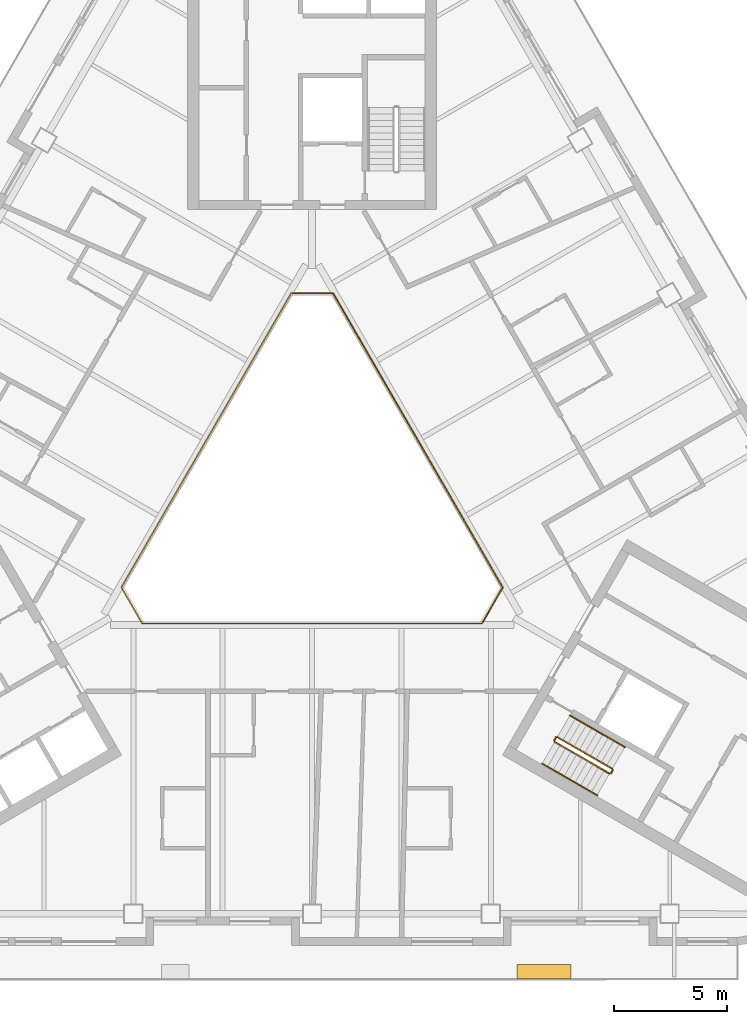
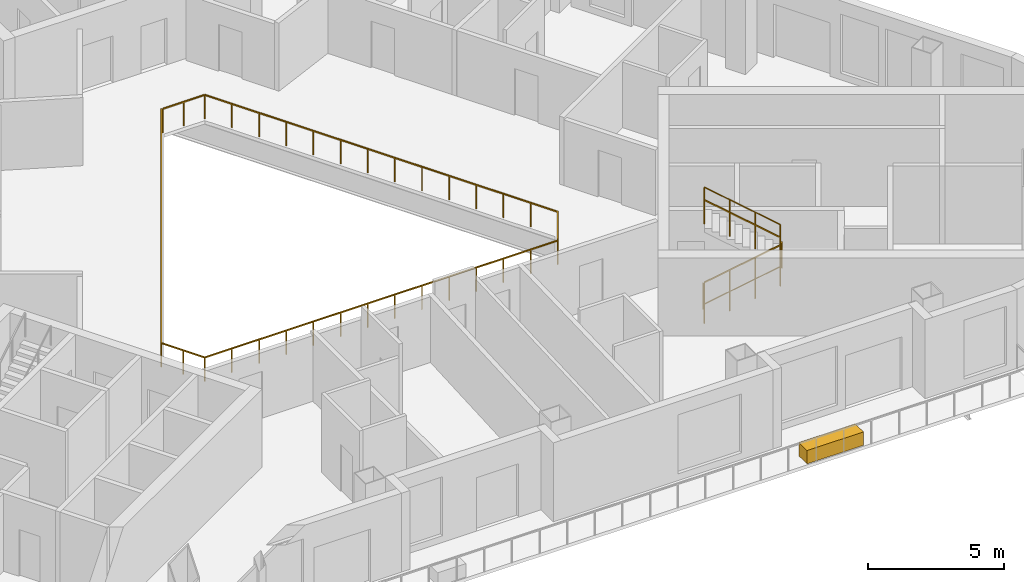
# One storey, part 12 of 14: 8 railings, 1 covering.
"""IFC4 building model written with IfcOpenShell, lengths in metres."""

from ifc_helpers import new_model, si_unit, direction, frame, origin, origin_2d, place, context, subcontext, project, spatial, rectangle, circle, extrude, material, type_object, element, save


model = new_model("IFC4")

# Units and contexts
model_context = context("Model", 3, precision=1e-05, world=origin(), true_north=direction((0.0, 1.0)))
body_context = subcontext(model_context, "Body", "Model", "MODEL_VIEW")
ifc_project = project(units=[si_unit("LENGTHUNIT", "METRE"), si_unit("AREAUNIT", "SQUARE_METRE"), si_unit("VOLUMEUNIT", "CUBIC_METRE"), si_unit("PLANEANGLEUNIT", "RADIAN"), si_unit("MASSUNIT", "GRAM", prefix="KILO")], contexts=[model_context])

# Site, building, storey
site_placement = place(None, origin())
site = spatial("IfcSite", under=ifc_project, at=site_placement, CompositionType="ELEMENT")
building_placement = place(site_placement, origin())
building = spatial("IfcBuilding", under=site, at=building_placement, Name="Apuvela Tower Hotel", CompositionType="ELEMENT")
storey_placement = place(building_placement, frame((0.0, 0.0, 157.699951171875)))
storey = spatial("IfcBuildingStorey", under=building, at=storey_placement, Name="L37", CompositionType="ELEMENT", Elevation=157.699951171875)

# Railings
ifc_material_1 = material(Name="Steel S275 balustrade", Category="steel")
railing_type_1 = type_object("IfcRailingType", Name="COR-GUARD-1100", PredefinedType="GUARDRAIL", material=ifc_material_1)
railing_1_placement = place(storey_placement, frame((10.718994140625, -10.63427734375, 0.168212890625)))
element("IfcRailing", 1, at=railing_1_placement, inside=storey, type_object=railing_type_1, Name="L37 ST3 stair guard 1", PredefinedType="GUARDRAIL", context=body_context, shape_type="SweptSolid", body=[
    extrude(rectangle(XDim=0.048095703125, YDim=0.048095703125, at=origin_2d()), frame((0.0, 0.0, 1.076171875), z_axis=(0.742390482028, -0.42860119049, 0.514934356695), x_axis=(0.49998411664, 0.866034573852, 0.0)), (0.0, 0.0, 1.0), 3.26611328125),
    extrude(rectangle(XDim=0.0419921875, YDim=0.0419921875, at=origin_2d()), origin(), (0.0, 0.0, 1.0), 1.052001953125),
    extrude(rectangle(XDim=0.0419921875, YDim=0.0419921875, at=origin_2d()), frame((0.808349609375, -0.466552734375, 0.560546875)), (0.0, 0.0, 1.0), 1.052001953125),
    extrude(rectangle(XDim=0.0419921875, YDim=0.0419921875, at=origin_2d()), frame((1.616455078125, -0.933349609375, 1.121337890625)), (0.0, 0.0, 1.0), 1.052001953125),
    extrude(rectangle(XDim=0.0419921875, YDim=0.0419921875, at=origin_2d()), frame((2.4248046875, -1.39990234375, 1.681884765625)), (0.0, 0.0, 1.0), 1.052001953125),
])
railing_2_placement = place(storey_placement, frame((13.212158203125, -12.015869140625, 1.85009765625)))
element("IfcRailing", 2, at=railing_2_placement, inside=storey, type_object=railing_type_1, Name="L37 ST3 stair guard 2", PredefinedType="GUARDRAIL", context=body_context, shape_type="SweptSolid", body=[
    extrude(rectangle(XDim=0.048095703125, YDim=0.048095703125, at=origin_2d()), frame((0.0, 0.0, 1.076171875), z_axis=(0.499816412211, 0.866131372301, 0.0), x_axis=(-0.866131372301, 0.499816412211, 0.0)), (0.0, 0.0, 1.0), 0.14990234375),
    extrude(rectangle(XDim=0.0419921875, YDim=0.0419921875, at=origin_2d()), origin(), (0.0, 0.0, 1.0), 1.052001953125),
    extrude(rectangle(XDim=0.0419921875, YDim=0.0419921875, at=origin_2d()), frame((0.074951171875, 0.1298828125, 0.0)), (0.0, 0.0, 1.0), 1.052001953125),
])
railing_3_placement = place(storey_placement, frame((13.268798828125, -11.817626953125, 2.018310546875)))
element("IfcRailing", 3, at=railing_3_placement, inside=storey, type_object=railing_type_1, Name="L37 ST3 stair guard 3", PredefinedType="GUARDRAIL", context=body_context, shape_type="SweptSolid", body=[
    extrude(rectangle(XDim=0.048095703125, YDim=0.048095703125, at=origin_2d()), frame((0.0, 0.0, 1.076171875), z_axis=(-0.74241905619, 0.428617687091, 0.514879426), x_axis=(-0.49998411664, -0.866034573852, 0.0)), (0.0, 0.0, 1.0), 3.26611328125),
    extrude(rectangle(XDim=0.0419921875, YDim=0.0419921875, at=origin_2d()), origin(), (0.0, 0.0, 1.0), 1.052001953125),
    extrude(rectangle(XDim=0.0419921875, YDim=0.0419921875, at=origin_2d()), frame((-0.808349609375, 0.466552734375, 0.560546875)), (0.0, 0.0, 1.0), 1.052001953125),
    extrude(rectangle(XDim=0.0419921875, YDim=0.0419921875, at=origin_2d()), frame((-1.616455078125, 0.933349609375, 1.12109375)), (0.0, 0.0, 1.0), 1.052001953125),
    extrude(rectangle(XDim=0.0419921875, YDim=0.0419921875, at=origin_2d()), frame((-2.4248046875, 1.39990234375, 1.681640625)), (0.0, 0.0, 1.0), 1.052001953125),
])
railing_4_placement = place(storey_placement, frame((10.70068359375, -10.56591796875, 0.0)))
element("IfcRailing", 4, at=railing_4_placement, inside=storey, type_object=railing_type_1, Name="L37 ST3 stair guard 4", PredefinedType="GUARDRAIL", context=body_context, shape_type="SweptSolid", body=[
    extrude(rectangle(XDim=0.048095703125, YDim=0.048095703125, at=origin_2d()), frame((0.0, 0.0, 1.076171875), z_axis=(0.499816412211, 0.866131372301, 0.0), x_axis=(-0.866131372301, 0.499816412211, 0.0)), (0.0, 0.0, 1.0), 0.14990234375),
    extrude(rectangle(XDim=0.0419921875, YDim=0.0419921875, at=origin_2d()), origin(), (0.0, 0.0, 1.0), 1.052001953125),
    extrude(rectangle(XDim=0.0419921875, YDim=0.0419921875, at=origin_2d()), frame((0.074951171875, 0.1298828125, 0.0)), (0.0, 0.0, 1.0), 1.052001953125),
])
ifc_material_2 = material(Name="Stainless steel 316 handrail", Category="steel")
railing_type_2 = type_object("IfcRailingType", Name="COR-HANDRAIL-900", PredefinedType="HANDRAIL", material=ifc_material_2)
railing_5_placement = place(storey_placement, frame((10.1689453125, -11.5869140625, 0.168212890625)))
element("IfcRailing", 5, at=railing_5_placement, inside=storey, type_object=railing_type_2, Name="L37 ST3 stair handrail 1", PredefinedType="HANDRAIL", context=body_context, shape_type="SweptSolid", body=[
    extrude(circle(Radius=0.02392578125, at=origin_2d()), frame((0.0, 0.0, 0.8759765625), z_axis=(0.742390482028, -0.42860119049, 0.514934356695), x_axis=(0.49998411664, 0.866034573852, 0.0)), (0.0, 0.0, 1.0), 3.26611328125),
    extrude(rectangle(XDim=0.0419921875, YDim=0.0419921875, at=origin_2d()), origin(), (0.0, 0.0, 1.0), 0.851806640625),
    extrude(rectangle(XDim=0.0419921875, YDim=0.0419921875, at=origin_2d()), frame((0.808349609375, -0.466552734375, 0.560546875)), (0.0, 0.0, 1.0), 0.851806640625),
    extrude(rectangle(XDim=0.0419921875, YDim=0.0419921875, at=origin_2d()), frame((1.616455078125, -0.933349609375, 1.121337890625)), (0.0, 0.0, 1.0), 0.851806640625),
    extrude(rectangle(XDim=0.0419921875, YDim=0.0419921875, at=origin_2d()), frame((2.4248046875, -1.39990234375, 1.681884765625)), (0.0, 0.0, 1.0), 0.851806640625),
])
railing_6_placement = place(storey_placement, frame((13.81884765625, -10.864990234375, 2.018310546875)))
element("IfcRailing", 6, at=railing_6_placement, inside=storey, type_object=railing_type_2, Name="L37 ST3 stair handrail 2", PredefinedType="HANDRAIL", context=body_context, shape_type="SweptSolid", body=[
    extrude(circle(Radius=0.02392578125, at=origin_2d()), frame((0.0, 0.0, 0.8759765625), z_axis=(-0.74241905619, 0.428617687091, 0.514879426), x_axis=(-0.49998411664, -0.866034573852, 0.0)), (0.0, 0.0, 1.0), 3.26611328125),
    extrude(rectangle(XDim=0.0419921875, YDim=0.0419921875, at=origin_2d()), origin(), (0.0, 0.0, 1.0), 0.851806640625),
    extrude(rectangle(XDim=0.0419921875, YDim=0.0419921875, at=origin_2d()), frame((-0.808349609375, 0.466552734375, 0.560546875)), (0.0, 0.0, 1.0), 0.851806640625),
    extrude(rectangle(XDim=0.0419921875, YDim=0.0419921875, at=origin_2d()), frame((-1.616455078125, 0.933349609375, 1.12109375)), (0.0, 0.0, 1.0), 0.851806640625),
    extrude(rectangle(XDim=0.0419921875, YDim=0.0419921875, at=origin_2d()), frame((-2.4248046875, 1.39990234375, 1.681640625)), (0.0, 0.0, 1.0), 0.851806640625),
])
ifc_material_3 = material(Name="Stainless steel 316 rail with laminated glass infill", Category="steel")
railing_type_3 = type_object("IfcRailingType", Name="ENV-GUARD-1100", PredefinedType="GUARDRAIL", material=ifc_material_3)
railing_7_placement = place(storey_placement, frame((-0.923828125, 9.199951171875, 0.0)))
element("IfcRailing", 7, at=railing_7_placement, inside=storey, type_object=railing_type_3, Name="Atrium void guard A L37", PredefinedType="GUARDRAIL", context=body_context, shape_type="SweptSolid", body=[
    extrude(rectangle(XDim=0.050048828125, YDim=0.050048828125, at=origin_2d()), frame((0.0, 0.0, 1.0751953125), z_axis=(-0.499990886379, -0.866030665472, 0.0), x_axis=(0.866030665472, -0.499990886379, 0.0)), (0.0, 0.0, 1.0), 15.010986328125),
    extrude(rectangle(XDim=0.050048828125, YDim=0.050048828125, at=origin_2d()), frame((-7.50537109375, -13.0, 1.0751953125), z_axis=(0.499962699187, -0.866046938348, 0.0), x_axis=(0.866046938348, 0.499962699187, 0.0)), (0.0, 0.0, 1.0), 1.847412109375),
    extrude(rectangle(XDim=0.050048828125, YDim=0.050048828125, at=origin_2d()), frame((-6.581787109375, -14.599853515625, 1.0751953125), z_axis=(1.0, 0.0, 0.0), x_axis=(0.0, 1.0, 0.0)), (0.0, 0.0, 1.0), 15.01123046875),
    extrude(rectangle(XDim=0.0400390625, YDim=0.0400390625, at=origin_2d()), origin(), (0.0, 0.0, 1.0), 1.050048828125),
    extrude(rectangle(XDim=0.0400390625, YDim=0.0400390625, at=origin_2d()), frame((-0.577392578125, -1.0, 0.0)), (0.0, 0.0, 1.0), 1.050048828125),
    extrude(rectangle(XDim=0.0400390625, YDim=0.0400390625, at=origin_2d()), frame((-1.15478515625, -2.0, 0.0)), (0.0, 0.0, 1.0), 1.050048828125),
    extrude(rectangle(XDim=0.0400390625, YDim=0.0400390625, at=origin_2d()), frame((-1.73193359375, -3.0, 0.0)), (0.0, 0.0, 1.0), 1.050048828125),
    extrude(rectangle(XDim=0.0400390625, YDim=0.0400390625, at=origin_2d()), frame((-2.309326171875, -4.0, 0.0)), (0.0, 0.0, 1.0), 1.050048828125),
    extrude(rectangle(XDim=0.0400390625, YDim=0.0400390625, at=origin_2d()), frame((-2.88671875, -5.0, 0.0)), (0.0, 0.0, 1.0), 1.050048828125),
    extrude(rectangle(XDim=0.0400390625, YDim=0.0400390625, at=origin_2d()), frame((-3.464111328125, -6.0, 0.0)), (0.0, 0.0, 1.0), 1.050048828125),
    extrude(rectangle(XDim=0.0400390625, YDim=0.0400390625, at=origin_2d()), frame((-4.041259765625, -7.0, 0.0)), (0.0, 0.0, 1.0), 1.050048828125),
    extrude(rectangle(XDim=0.0400390625, YDim=0.0400390625, at=origin_2d()), frame((-4.61865234375, -8.0, 0.0)), (0.0, 0.0, 1.0), 1.050048828125),
    extrude(rectangle(XDim=0.0400390625, YDim=0.0400390625, at=origin_2d()), frame((-5.196044921875, -9.0, 0.0)), (0.0, 0.0, 1.0), 1.050048828125),
    extrude(rectangle(XDim=0.0400390625, YDim=0.0400390625, at=origin_2d()), frame((-5.7734375, -10.0, 0.0)), (0.0, 0.0, 1.0), 1.050048828125),
    extrude(rectangle(XDim=0.0400390625, YDim=0.0400390625, at=origin_2d()), frame((-6.3505859375, -11.0, 0.0)), (0.0, 0.0, 1.0), 1.050048828125),
    extrude(rectangle(XDim=0.0400390625, YDim=0.0400390625, at=origin_2d()), frame((-6.927978515625, -12.0, 0.0)), (0.0, 0.0, 1.0), 1.050048828125),
    extrude(rectangle(XDim=0.0400390625, YDim=0.0400390625, at=origin_2d()), frame((-7.50537109375, -13.0, 0.0)), (0.0, 0.0, 1.0), 1.050048828125),
    extrude(rectangle(XDim=0.0400390625, YDim=0.0400390625, at=origin_2d()), frame((-7.04345703125, -13.7998046875, 0.0)), (0.0, 0.0, 1.0), 1.050048828125),
    extrude(rectangle(XDim=0.0400390625, YDim=0.0400390625, at=origin_2d()), frame((-6.581787109375, -14.599853515625, 0.0)), (0.0, 0.0, 1.0), 1.050048828125),
    extrude(rectangle(XDim=0.0400390625, YDim=0.0400390625, at=origin_2d()), frame((-5.427001953125, -14.599853515625, 0.0)), (0.0, 0.0, 1.0), 1.050048828125),
    extrude(rectangle(XDim=0.0400390625, YDim=0.0400390625, at=origin_2d()), frame((-4.2724609375, -14.599853515625, 0.0)), (0.0, 0.0, 1.0), 1.050048828125),
    extrude(rectangle(XDim=0.0400390625, YDim=0.0400390625, at=origin_2d()), frame((-3.11767578125, -14.599853515625, 0.0)), (0.0, 0.0, 1.0), 1.050048828125),
    extrude(rectangle(XDim=0.0400390625, YDim=0.0400390625, at=origin_2d()), frame((-1.962890625, -14.599853515625, 0.0)), (0.0, 0.0, 1.0), 1.050048828125),
    extrude(rectangle(XDim=0.0400390625, YDim=0.0400390625, at=origin_2d()), frame((-0.808349609375, -14.599853515625, 0.0)), (0.0, 0.0, 1.0), 1.050048828125),
    extrude(rectangle(XDim=0.0400390625, YDim=0.0400390625, at=origin_2d()), frame((0.346435546875, -14.599853515625, 0.0)), (0.0, 0.0, 1.0), 1.050048828125),
    extrude(rectangle(XDim=0.0400390625, YDim=0.0400390625, at=origin_2d()), frame((1.501220703125, -14.599853515625, 0.0)), (0.0, 0.0, 1.0), 1.050048828125),
    extrude(rectangle(XDim=0.0400390625, YDim=0.0400390625, at=origin_2d()), frame((2.656005859375, -14.599853515625, 0.0)), (0.0, 0.0, 1.0), 1.050048828125),
    extrude(rectangle(XDim=0.0400390625, YDim=0.0400390625, at=origin_2d()), frame((3.810546875, -14.599853515625, 0.0)), (0.0, 0.0, 1.0), 1.050048828125),
    extrude(rectangle(XDim=0.0400390625, YDim=0.0400390625, at=origin_2d()), frame((4.96533203125, -14.599853515625, 0.0)), (0.0, 0.0, 1.0), 1.050048828125),
    extrude(rectangle(XDim=0.0400390625, YDim=0.0400390625, at=origin_2d()), frame((6.1201171875, -14.599853515625, 0.0)), (0.0, 0.0, 1.0), 1.050048828125),
    extrude(rectangle(XDim=0.0400390625, YDim=0.0400390625, at=origin_2d()), frame((7.274658203125, -14.599853515625, 0.0)), (0.0, 0.0, 1.0), 1.050048828125),
    extrude(rectangle(XDim=0.0400390625, YDim=0.0400390625, at=origin_2d()), frame((8.429443359375, -14.599853515625, 0.0)), (0.0, 0.0, 1.0), 1.050048828125),
])
railing_8_placement = place(storey_placement, frame((7.53564453125, -5.347900390625, 0.0)))
element("IfcRailing", 8, at=railing_8_placement, inside=storey, type_object=railing_type_3, Name="Atrium void guard B L37", PredefinedType="GUARDRAIL", context=body_context, shape_type="SweptSolid", body=[
    extrude(rectangle(XDim=0.050048828125, YDim=0.050048828125, at=origin_2d()), frame((0.0, 0.0, 1.0751953125), z_axis=(0.499958946799, 0.866049104564, 0.0), x_axis=(-0.866049104564, 0.499958946799, 0.0)), (0.0, 0.0, 1.0), 1.787353515625),
    extrude(rectangle(XDim=0.050048828125, YDim=0.050048828125, at=origin_2d()), frame((0.8935546875, 1.5478515625, 1.0751953125), z_axis=(-0.499990886379, 0.866030665472, 0.0), x_axis=(-0.866030665472, -0.499990886379, 0.0)), (0.0, 0.0, 1.0), 15.010986328125),
    extrude(rectangle(XDim=0.050048828125, YDim=0.050048828125, at=origin_2d()), frame((-6.61181640625, 14.5478515625, 1.0751953125), z_axis=(-1.0, 0.0, 0.0), x_axis=(0.0, -1.0, 0.0)), (0.0, 0.0, 1.0), 1.78759765625),
    extrude(rectangle(XDim=0.0400390625, YDim=0.0400390625, at=origin_2d()), origin(), (0.0, 0.0, 1.0), 1.050048828125),
    extrude(rectangle(XDim=0.0400390625, YDim=0.0400390625, at=origin_2d()), frame((0.44677734375, 0.77392578125, 0.0)), (0.0, 0.0, 1.0), 1.050048828125),
    extrude(rectangle(XDim=0.0400390625, YDim=0.0400390625, at=origin_2d()), frame((0.8935546875, 1.5478515625, 0.0)), (0.0, 0.0, 1.0), 1.050048828125),
    extrude(rectangle(XDim=0.0400390625, YDim=0.0400390625, at=origin_2d()), frame((0.316162109375, 2.5478515625, 0.0)), (0.0, 0.0, 1.0), 1.050048828125),
    extrude(rectangle(XDim=0.0400390625, YDim=0.0400390625, at=origin_2d()), frame((-0.26123046875, 3.5478515625, 0.0)), (0.0, 0.0, 1.0), 1.050048828125),
    extrude(rectangle(XDim=0.0400390625, YDim=0.0400390625, at=origin_2d()), frame((-0.83837890625, 4.5478515625, 0.0)), (0.0, 0.0, 1.0), 1.050048828125),
    extrude(rectangle(XDim=0.0400390625, YDim=0.0400390625, at=origin_2d()), frame((-1.415771484375, 5.5478515625, 0.0)), (0.0, 0.0, 1.0), 1.050048828125),
    extrude(rectangle(XDim=0.0400390625, YDim=0.0400390625, at=origin_2d()), frame((-1.9931640625, 6.5478515625, 0.0)), (0.0, 0.0, 1.0), 1.050048828125),
    extrude(rectangle(XDim=0.0400390625, YDim=0.0400390625, at=origin_2d()), frame((-2.570556640625, 7.5478515625, 0.0)), (0.0, 0.0, 1.0), 1.050048828125),
    extrude(rectangle(XDim=0.0400390625, YDim=0.0400390625, at=origin_2d()), frame((-3.147705078125, 8.5478515625, 0.0)), (0.0, 0.0, 1.0), 1.050048828125),
    extrude(rectangle(XDim=0.0400390625, YDim=0.0400390625, at=origin_2d()), frame((-3.72509765625, 9.5478515625, 0.0)), (0.0, 0.0, 1.0), 1.050048828125),
    extrude(rectangle(XDim=0.0400390625, YDim=0.0400390625, at=origin_2d()), frame((-4.302490234375, 10.5478515625, 0.0)), (0.0, 0.0, 1.0), 1.050048828125),
    extrude(rectangle(XDim=0.0400390625, YDim=0.0400390625, at=origin_2d()), frame((-4.8798828125, 11.5478515625, 0.0)), (0.0, 0.0, 1.0), 1.050048828125),
    extrude(rectangle(XDim=0.0400390625, YDim=0.0400390625, at=origin_2d()), frame((-5.45703125, 12.5478515625, 0.0)), (0.0, 0.0, 1.0), 1.050048828125),
    extrude(rectangle(XDim=0.0400390625, YDim=0.0400390625, at=origin_2d()), frame((-6.034423828125, 13.5478515625, 0.0)), (0.0, 0.0, 1.0), 1.050048828125),
    extrude(rectangle(XDim=0.0400390625, YDim=0.0400390625, at=origin_2d()), frame((-6.61181640625, 14.5478515625, 0.0)), (0.0, 0.0, 1.0), 1.050048828125),
    extrude(rectangle(XDim=0.0400390625, YDim=0.0400390625, at=origin_2d()), frame((-7.505615234375, 14.5478515625, 0.0)), (0.0, 0.0, 1.0), 1.050048828125),
    extrude(rectangle(XDim=0.0400390625, YDim=0.0400390625, at=origin_2d()), frame((-8.3994140625, 14.5478515625, 0.0)), (0.0, 0.0, 1.0), 1.050048828125),
])

# Covering
ifc_material_4 = material(Name="Planting substrate and soil, planted")
covering_type = type_object("IfcCoveringType", Name="ENV-PLANTER-2400x600", PredefinedType="USERDEFINED", material=ifc_material_4)
covering_placement = place(storey_placement, frame((10.250244140625, -20.780029296875, 0.0), z_axis=(0.0, 0.0, 1.0), x_axis=(1.0, 0.0, 0.0)))
element("IfcCovering", 9, at=covering_placement, inside=storey, type_object=covering_type, Name="Planter S2", ObjectType="PLANTER", PredefinedType="USERDEFINED", context=body_context, shape_type="SweptSolid", body=[
    extrude(rectangle(XDim=2.39990234375, YDim=0.60009765625, at=origin_2d()), origin(), (0.0, 0.0, 1.0), 0.60009765625),
])

save(model, "model.ifc")
